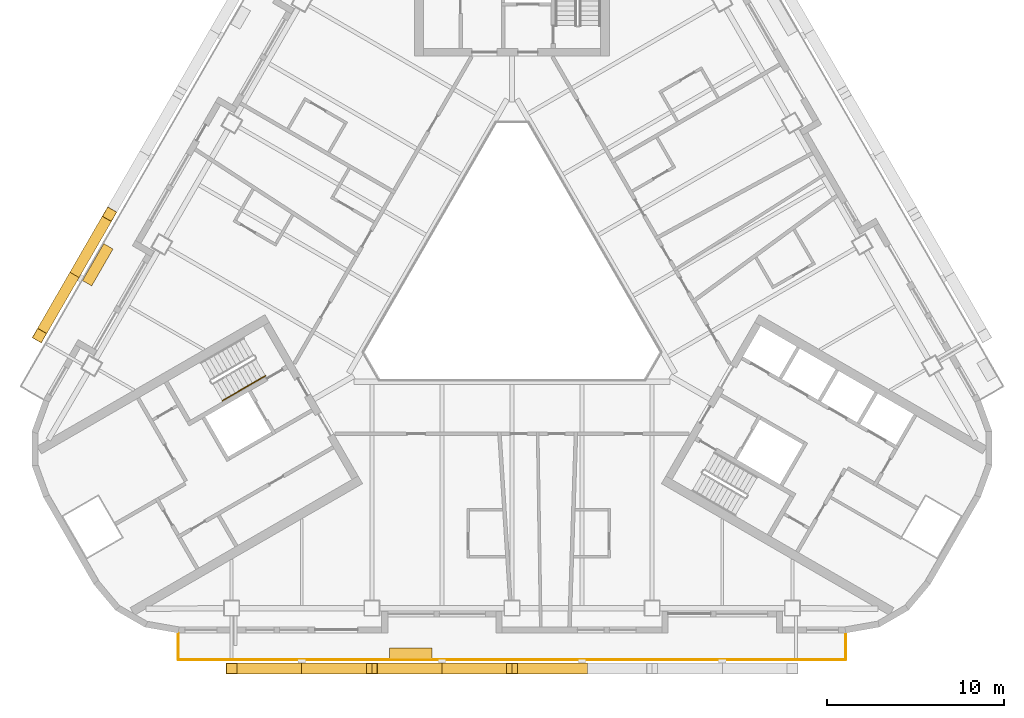
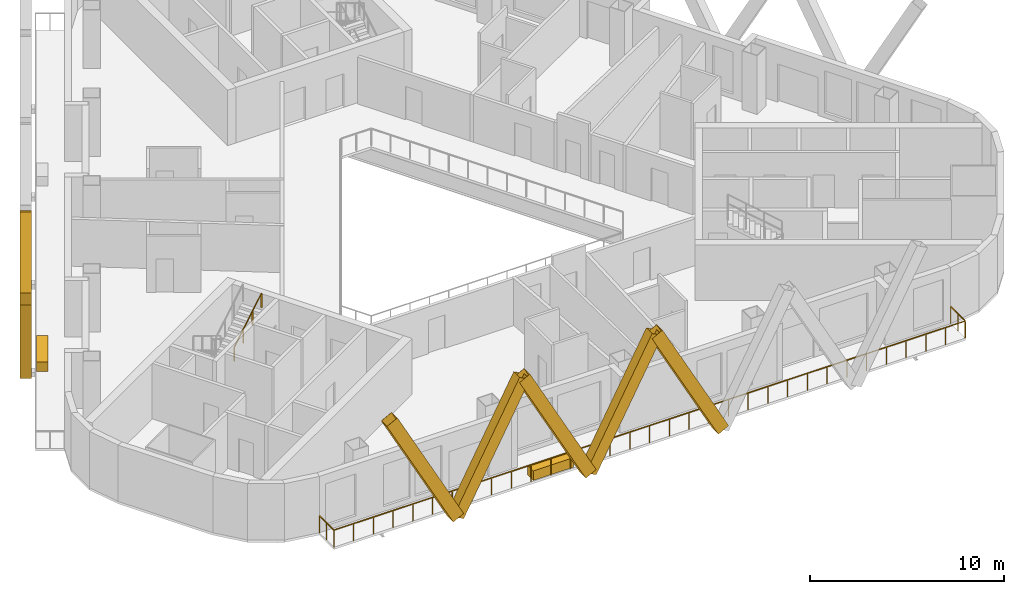
# One storey, part 9 of 14: 7 shading devices, 2 coverings, 2 railings.
"""IFC4 building model written with IfcOpenShell, lengths in metres."""

from ifc_helpers import new_model, si_unit, direction, frame, origin, origin_2d, place, context, subcontext, project, spatial, rectangle, hollow_rectangle, circle, extrude, material, material_profile, profile_set, type_object, element, save


model = new_model("IFC4")

# Units and contexts
model_context = context("Model", 3, precision=1e-05, world=origin(), true_north=direction((0.0, 1.0)))
body_context = subcontext(model_context, "Body", "Model", "MODEL_VIEW")
ifc_project = project(units=[si_unit("LENGTHUNIT", "METRE"), si_unit("AREAUNIT", "SQUARE_METRE"), si_unit("VOLUMEUNIT", "CUBIC_METRE"), si_unit("PLANEANGLEUNIT", "RADIAN"), si_unit("MASSUNIT", "GRAM", prefix="KILO")], contexts=[model_context])

# Site, building, storey
site_placement = place(None, origin())
site = spatial("IfcSite", under=ifc_project, at=site_placement, CompositionType="ELEMENT")
building_placement = place(site_placement, origin())
building = spatial("IfcBuilding", under=site, at=building_placement, Name="Apuvela Tower Hotel", CompositionType="ELEMENT")
storey_placement = place(building_placement, frame((0.0, 0.0, 113.10009765625)))
storey = spatial("IfcBuildingStorey", under=building, at=storey_placement, Name="L26", CompositionType="ELEMENT", Elevation=113.10009765625)

# Railing
ifc_material_1 = material(Name="Stainless steel 316 handrail", Category="steel")
railing_type_1 = type_object("IfcRailingType", Name="COR-HANDRAIL-900", PredefinedType="HANDRAIL", material=ifc_material_1)
railing_1_placement = place(storey_placement, frame((-16.31884765625, -6.534912109375, 2.01806640625)))
element("IfcRailing", 1, at=railing_1_placement, inside=storey, type_object=railing_type_1, Name="L26 ST2 stair handrail 2", PredefinedType="HANDRAIL", context=body_context, shape_type="SweptSolid", body=[
    extrude(circle(Radius=0.02392578125, at=origin_2d()), frame((0.0, 0.0, 0.8759765625), z_axis=(0.742390482028, 0.42860119049, 0.514934356695), x_axis=(-0.49998411664, 0.866034573852, 0.0)), (0.0, 0.0, 1.0), 3.26611328125),
    extrude(rectangle(XDim=0.0419921875, YDim=0.0419921875, at=origin_2d()), origin(), (0.0, 0.0, 1.0), 0.851806640625),
    extrude(rectangle(XDim=0.0419921875, YDim=0.0419921875, at=origin_2d()), frame((0.808349609375, 0.466552734375, 0.560546875)), (0.0, 0.0, 1.0), 0.851806640625),
    extrude(rectangle(XDim=0.0419921875, YDim=0.0419921875, at=origin_2d()), frame((1.616455078125, 0.933349609375, 1.121337890625)), (0.0, 0.0, 1.0), 0.851806640625),
    extrude(rectangle(XDim=0.0419921875, YDim=0.0419921875, at=origin_2d()), frame((2.4248046875, 1.39990234375, 1.681884765625)), (0.0, 0.0, 1.0), 0.851806640625),
])

# Shading devices
ifc_material_2 = material(Name="Aluminium 6063-T6, black anodised", Category="aluminium")
ifc_material_profile = material_profile(ifc_material_2, hollow_rectangle(XDim=0.60009765625, YDim=0.699951171875, WallThickness=0.011962890625, at=origin_2d()), Name="AL BOX 700x600x12")
ifc_profile_set = profile_set([ifc_material_profile], Name="Aluminium 6063-T6, black anodised")
shading_device_type = type_object("IfcShadingDeviceType", Name="ENV-FIN-700x600", PredefinedType="USERDEFINED", material=ifc_profile_set)
for number, where, z_axis, x_axis, name in (
    (2, (-11.85009765625, -21.6298828125, -0.10009765625), (-0.470897892863, 0.0, 0.882187720668), (0.0, -1.0, 0.0), "Lattice fin S169"),
    (3, (-11.85009765625, -21.6298828125, -0.10009765625), (0.470920543904, 0.0, 0.882175629526), (0.0, 1.0, 0.0), "Lattice fin S170"),
    (4, (-3.949951171875, -21.6298828125, -0.10009765625), (-0.470897892863, 0.0, 0.882187720668), (0.0, -1.0, 0.0), "Lattice fin S171"),
    (5, (-3.949951171875, -21.6298828125, -0.10009765625), (0.470897892863, 0.0, 0.882187720668), (0.0, 1.0, 0.0), "Lattice fin S172"),
    (6, (3.949951171875, -21.6298828125, -0.10009765625), (-0.470897892863, 0.0, 0.882187720668), (0.0, -1.0, 0.0), "Lattice fin S173"),
    (7, (-24.656982421875, 0.552490234375, -0.10009765625), (0.235433593518, 0.407824887177, 0.882184722404), (-0.866047669374, 0.499961432884, 0.0), "Lattice fin NW271"),
    (8, (-24.656982421875, 0.552490234375, -0.10009765625), (-0.235463880167, -0.407797827568, 0.882189148067), (0.866005453737, -0.500034552904, 0.0), "Lattice fin NW272"),
):
    element("IfcShadingDevice", number, at=place(storey_placement, frame(where, z_axis=z_axis, x_axis=x_axis)), inside=storey, type_object=shading_device_type, Name=name, ObjectType="FIN", PredefinedType="USERDEFINED", context=body_context, shape_type="SweptSolid", body=[
        extrude(hollow_rectangle(XDim=0.60009765625, YDim=0.699951171875, WallThickness=0.011962890625, at=origin_2d()), origin(), (0.0, 0.0, 1.0), 8.38818359375),
    ])

# Railing
ifc_material_3 = material(Name="Stainless steel 316 rail with laminated glass infill", Category="steel")
railing_type_2 = type_object("IfcRailingType", Name="ENV-GUARD-1100", PredefinedType="GUARDRAIL", material=ifc_material_3)
railing_2_placement = place(storey_placement, frame((-18.81591796875, -19.6298828125, 0.0)))
element("IfcRailing", 9, at=railing_2_placement, inside=storey, type_object=railing_type_2, Name="Balcony guard S L26", PredefinedType="GUARDRAIL", context=body_context, shape_type="SweptSolid", body=[
    extrude(rectangle(XDim=0.050048828125, YDim=0.050048828125, at=origin_2d()), frame((0.0, 0.0, 1.0751953125), z_axis=(0.0, -1.0, 0.0), x_axis=(1.0, 0.0, 0.0)), (0.0, 0.0, 1.0), 1.5),
    extrude(rectangle(XDim=0.050048828125, YDim=0.050048828125, at=origin_2d()), frame((0.0, -1.5, 1.0751953125), z_axis=(1.0, 0.0, 0.0), x_axis=(0.0, 1.0, 0.0)), (0.0, 0.0, 1.0), 37.6318359375),
    extrude(rectangle(XDim=0.050048828125, YDim=0.050048828125, at=origin_2d()), frame((37.6318359375, -1.5, 1.0751953125), z_axis=(0.0, 1.0, 0.0), x_axis=(-1.0, 0.0, 0.0)), (0.0, 0.0, 1.0), 1.5),
    extrude(rectangle(XDim=0.0400390625, YDim=0.0400390625, at=origin_2d()), origin(), (0.0, 0.0, 1.0), 1.050048828125),
    extrude(rectangle(XDim=0.0400390625, YDim=0.0400390625, at=origin_2d()), frame((0.0, -0.75, 0.0)), (0.0, 0.0, 1.0), 1.050048828125),
    extrude(rectangle(XDim=0.0400390625, YDim=0.0400390625, at=origin_2d()), frame((0.0, -1.5, 0.0)), (0.0, 0.0, 1.0), 1.050048828125),
    extrude(rectangle(XDim=0.0400390625, YDim=0.0400390625, at=origin_2d()), frame((1.176025390625, -1.5, 0.0)), (0.0, 0.0, 1.0), 1.050048828125),
    extrude(rectangle(XDim=0.0400390625, YDim=0.0400390625, at=origin_2d()), frame((2.35205078125, -1.5, 0.0)), (0.0, 0.0, 1.0), 1.050048828125),
    extrude(rectangle(XDim=0.0400390625, YDim=0.0400390625, at=origin_2d()), frame((3.528076171875, -1.5, 0.0)), (0.0, 0.0, 1.0), 1.050048828125),
    extrude(rectangle(XDim=0.0400390625, YDim=0.0400390625, at=origin_2d()), frame((4.7041015625, -1.5, 0.0)), (0.0, 0.0, 1.0), 1.050048828125),
    extrude(rectangle(XDim=0.0400390625, YDim=0.0400390625, at=origin_2d()), frame((5.8798828125, -1.5, 0.0)), (0.0, 0.0, 1.0), 1.050048828125),
    extrude(rectangle(XDim=0.0400390625, YDim=0.0400390625, at=origin_2d()), frame((7.055908203125, -1.5, 0.0)), (0.0, 0.0, 1.0), 1.050048828125),
    extrude(rectangle(XDim=0.0400390625, YDim=0.0400390625, at=origin_2d()), frame((8.23193359375, -1.5, 0.0)), (0.0, 0.0, 1.0), 1.050048828125),
    extrude(rectangle(XDim=0.0400390625, YDim=0.0400390625, at=origin_2d()), frame((9.407958984375, -1.5, 0.0)), (0.0, 0.0, 1.0), 1.050048828125),
    extrude(rectangle(XDim=0.0400390625, YDim=0.0400390625, at=origin_2d()), frame((10.583984375, -1.5, 0.0)), (0.0, 0.0, 1.0), 1.050048828125),
    extrude(rectangle(XDim=0.0400390625, YDim=0.0400390625, at=origin_2d()), frame((11.760009765625, -1.5, 0.0)), (0.0, 0.0, 1.0), 1.050048828125),
    extrude(rectangle(XDim=0.0400390625, YDim=0.0400390625, at=origin_2d()), frame((12.93603515625, -1.5, 0.0)), (0.0, 0.0, 1.0), 1.050048828125),
    extrude(rectangle(XDim=0.0400390625, YDim=0.0400390625, at=origin_2d()), frame((14.11181640625, -1.5, 0.0)), (0.0, 0.0, 1.0), 1.050048828125),
    extrude(rectangle(XDim=0.0400390625, YDim=0.0400390625, at=origin_2d()), frame((15.287841796875, -1.5, 0.0)), (0.0, 0.0, 1.0), 1.050048828125),
    extrude(rectangle(XDim=0.0400390625, YDim=0.0400390625, at=origin_2d()), frame((16.4638671875, -1.5, 0.0)), (0.0, 0.0, 1.0), 1.050048828125),
    extrude(rectangle(XDim=0.0400390625, YDim=0.0400390625, at=origin_2d()), frame((17.639892578125, -1.5, 0.0)), (0.0, 0.0, 1.0), 1.050048828125),
    extrude(rectangle(XDim=0.0400390625, YDim=0.0400390625, at=origin_2d()), frame((18.81591796875, -1.5, 0.0)), (0.0, 0.0, 1.0), 1.050048828125),
    extrude(rectangle(XDim=0.0400390625, YDim=0.0400390625, at=origin_2d()), frame((19.991943359375, -1.5, 0.0)), (0.0, 0.0, 1.0), 1.050048828125),
    extrude(rectangle(XDim=0.0400390625, YDim=0.0400390625, at=origin_2d()), frame((21.16796875, -1.5, 0.0)), (0.0, 0.0, 1.0), 1.050048828125),
    extrude(rectangle(XDim=0.0400390625, YDim=0.0400390625, at=origin_2d()), frame((22.343994140625, -1.5, 0.0)), (0.0, 0.0, 1.0), 1.050048828125),
    extrude(rectangle(XDim=0.0400390625, YDim=0.0400390625, at=origin_2d()), frame((23.52001953125, -1.5, 0.0)), (0.0, 0.0, 1.0), 1.050048828125),
    extrude(rectangle(XDim=0.0400390625, YDim=0.0400390625, at=origin_2d()), frame((24.69580078125, -1.5, 0.0)), (0.0, 0.0, 1.0), 1.050048828125),
    extrude(rectangle(XDim=0.0400390625, YDim=0.0400390625, at=origin_2d()), frame((25.871826171875, -1.5, 0.0)), (0.0, 0.0, 1.0), 1.050048828125),
    extrude(rectangle(XDim=0.0400390625, YDim=0.0400390625, at=origin_2d()), frame((27.0478515625, -1.5, 0.0)), (0.0, 0.0, 1.0), 1.050048828125),
    extrude(rectangle(XDim=0.0400390625, YDim=0.0400390625, at=origin_2d()), frame((28.223876953125, -1.5, 0.0)), (0.0, 0.0, 1.0), 1.050048828125),
    extrude(rectangle(XDim=0.0400390625, YDim=0.0400390625, at=origin_2d()), frame((29.39990234375, -1.5, 0.0)), (0.0, 0.0, 1.0), 1.050048828125),
    extrude(rectangle(XDim=0.0400390625, YDim=0.0400390625, at=origin_2d()), frame((30.575927734375, -1.5, 0.0)), (0.0, 0.0, 1.0), 1.050048828125),
    extrude(rectangle(XDim=0.0400390625, YDim=0.0400390625, at=origin_2d()), frame((31.751953125, -1.5, 0.0)), (0.0, 0.0, 1.0), 1.050048828125),
    extrude(rectangle(XDim=0.0400390625, YDim=0.0400390625, at=origin_2d()), frame((32.927734375, -1.5, 0.0)), (0.0, 0.0, 1.0), 1.050048828125),
    extrude(rectangle(XDim=0.0400390625, YDim=0.0400390625, at=origin_2d()), frame((34.103759765625, -1.5, 0.0)), (0.0, 0.0, 1.0), 1.050048828125),
    extrude(rectangle(XDim=0.0400390625, YDim=0.0400390625, at=origin_2d()), frame((35.27978515625, -1.5, 0.0)), (0.0, 0.0, 1.0), 1.050048828125),
    extrude(rectangle(XDim=0.0400390625, YDim=0.0400390625, at=origin_2d()), frame((36.455810546875, -1.5, 0.0)), (0.0, 0.0, 1.0), 1.050048828125),
    extrude(rectangle(XDim=0.0400390625, YDim=0.0400390625, at=origin_2d()), frame((37.6318359375, -1.5, 0.0)), (0.0, 0.0, 1.0), 1.050048828125),
    extrude(rectangle(XDim=0.0400390625, YDim=0.0400390625, at=origin_2d()), frame((37.6318359375, -0.75, 0.0)), (0.0, 0.0, 1.0), 1.050048828125),
    extrude(rectangle(XDim=0.0400390625, YDim=0.0400390625, at=origin_2d()), frame((37.6318359375, 0.0, 0.0)), (0.0, 0.0, 1.0), 1.050048828125),
])

# Coverings
ifc_material_4 = material(Name="Planting substrate and soil, planted")
covering_type = type_object("IfcCoveringType", Name="ENV-PLANTER-2400x600", PredefinedType="USERDEFINED", material=ifc_material_4)
for number, where, z_axis, x_axis, name in (
    (10, (-5.69970703125, -20.780029296875, -0.000244140625), (0.0, 0.0, 1.0), (1.0, 0.0, 0.0), "Planter S1"),
    (11, (-23.345947265625, 1.12353515625, -0.000244140625), (0.0, 0.0, 1.0), (-0.5, -0.866025403784, 0.0), "Planter NW5"),
):
    element("IfcCovering", number, at=place(storey_placement, frame(where, z_axis=z_axis, x_axis=x_axis)), inside=storey, type_object=covering_type, Name=name, ObjectType="PLANTER", PredefinedType="USERDEFINED", context=body_context, shape_type="SweptSolid", body=[
        extrude(rectangle(XDim=2.39990234375, YDim=0.60009765625, at=origin_2d()), origin(), (0.0, 0.0, 1.0), 0.60009765625),
    ])

save(model, "model.ifc")
